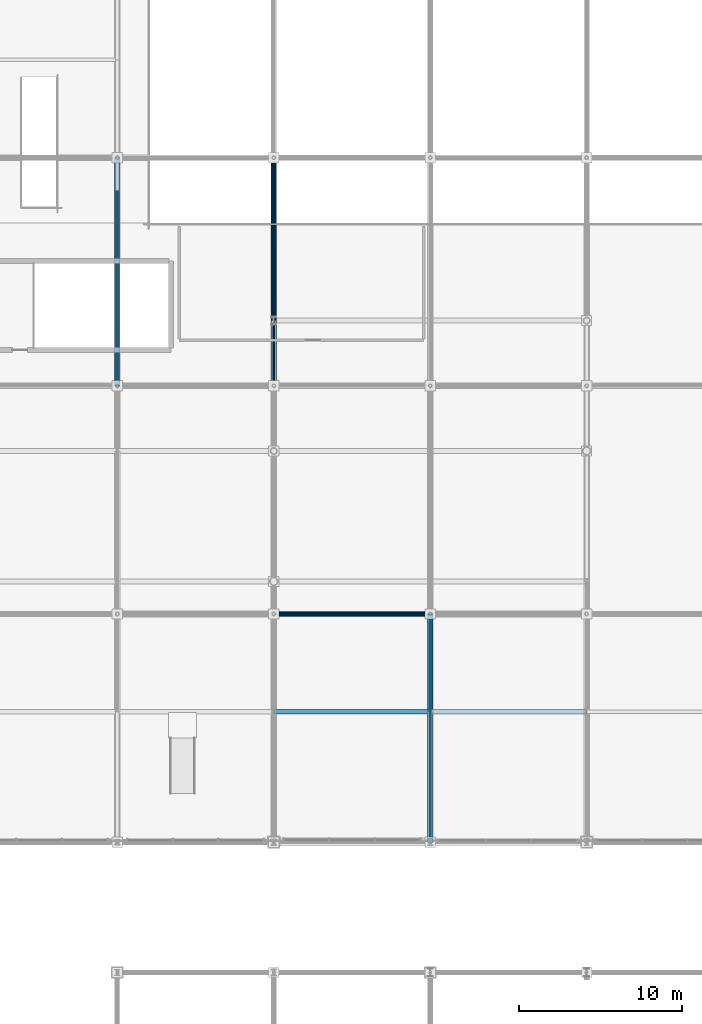
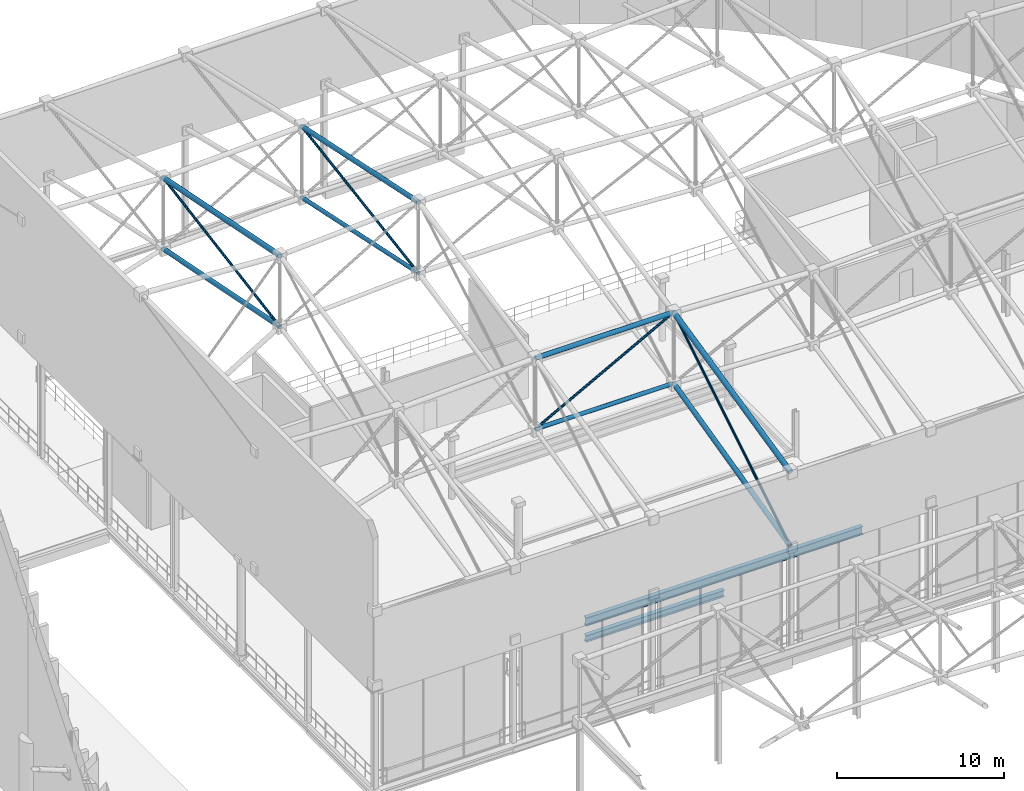
# One storey, part 106 of 193: 12 members, 2 beams.
"""IFC4 building model written with IfcOpenShell, lengths in metres."""

from ifc_helpers import new_model, si_unit, direction, frame, origin, origin_2d, place, context, subcontext, project, spatial, hollow_circle, i_section, extrude, material, material_profile, profile_set, type_object, element, save


model = new_model("IFC4")

# Units and contexts
model_context = context("Model", 3, precision=1e-05, world=origin(), true_north=direction((0.0, 1.0)))
body_context = subcontext(model_context, "Body", "Model", "MODEL_VIEW")
ifc_project = project(units=[si_unit("LENGTHUNIT", "METRE"), si_unit("AREAUNIT", "SQUARE_METRE"), si_unit("VOLUMEUNIT", "CUBIC_METRE"), si_unit("PLANEANGLEUNIT", "RADIAN"), si_unit("MASSUNIT", "GRAM", prefix="KILO")], contexts=[model_context])

# Site, building, storey
site_placement = place(None, origin())
site = spatial("IfcSite", under=ifc_project, at=site_placement, CompositionType="ELEMENT")
building_placement = place(site_placement, origin())
building = spatial("IfcBuilding", under=site, at=building_placement, Name="Danafjord Basin Convention Centre", CompositionType="ELEMENT")
storey_placement = place(building_placement, frame((0.0, 0.0, 11.39990234375)))
storey = spatial("IfcBuildingStorey", under=building, at=storey_placement, Name="L02", CompositionType="ELEMENT", Elevation=11.39990234375)

# Beams
ifc_material = material(Name="Steel S355", Category="steel")
ifc_material_profile_1 = material_profile(ifc_material, i_section(OverallWidth=0.300048828125, OverallDepth=0.489990234375, WebThickness=0.011962890625, FlangeThickness=0.02294921875, FilletRadius=0.027099609375, at=origin_2d()), Name="HEA 500")
ifc_profile_set_1 = profile_set([ifc_material_profile_1], Name="Steel S355")
beam_type_1 = type_object("IfcBeamType", Name="BEAM-BM-HEA500", PredefinedType="BEAM", material=ifc_profile_set_1)
beam_1_placement = place(storey_placement, frame((153.60009765625, 96.0, -0.60498046875), z_axis=(1.0, 0.0, 0.0), x_axis=(0.0, 1.0, 0.0)))
element("IfcBeam", 1, at=beam_1_placement, inside=storey, type_object=beam_type_1, Name="L02 girder BM-HEA500", PredefinedType="BEAM", context=body_context, shape_type="SweptSolid", body=[
    extrude(i_section(OverallWidth=0.300048828125, OverallDepth=0.489990234375, WebThickness=0.011962890625, FlangeThickness=0.02294921875, FilletRadius=0.027099609375, at=origin_2d()), origin(), (0.0, 0.0, 1.0), 9.599853515625),
])
ifc_material_profile_2 = material_profile(ifc_material, i_section(OverallWidth=0.300048828125, OverallDepth=0.60009765625, WebThickness=0.015380859375, FlangeThickness=0.030029296875, FilletRadius=0.027099609375, at=origin_2d()), Name="HEB 600")
ifc_profile_set_2 = profile_set([ifc_material_profile_2], Name="Steel S355")
beam_type_2 = type_object("IfcBeamType", Name="BEAM-BM-HEB600", PredefinedType="BEAM", material=ifc_profile_set_2)
beam_2_placement = place(storey_placement, frame((153.60009765625, 96.0, 0.64013671875), z_axis=(1.0, 0.0, 0.0), x_axis=(0.0, 1.0, 0.0)))
element("IfcBeam", 2, at=beam_2_placement, inside=storey, type_object=beam_type_2, Name="Balcony tier transverse girder", PredefinedType="BEAM", context=body_context, shape_type="SweptSolid", body=[
    extrude(i_section(OverallWidth=0.300048828125, OverallDepth=0.60009765625, WebThickness=0.015380859375, FlangeThickness=0.030029296875, FilletRadius=0.027099609375, at=origin_2d()), origin(), (0.0, 0.0, 1.0), 19.199951171875),
])

# Members
ifc_material_profile_3 = material_profile(ifc_material, hollow_circle(Radius=0.136474609375, WallThickness=0.012451171875, at=origin_2d()), Name="CHS 273.0x12.5")
ifc_profile_set_3 = profile_set([ifc_material_profile_3], Name="Steel S355")
member_type_1 = type_object("IfcMemberType", Name="MEM-CH-CHS273", PredefinedType="CHORD", material=ifc_profile_set_3)
member_1_placement = place(storey_placement, frame((153.60009765625, 102.0, 11.059814453125), z_axis=(1.0, 0.0, 0.0), x_axis=(0.0, 1.0, 0.0)))
element("IfcMember", 3, at=member_1_placement, inside=storey, type_object=member_type_1, Name="V2 roof truss longitudinal bottom chord", PredefinedType="CHORD", context=body_context, shape_type="SweptSolid", body=[
    extrude(hollow_circle(Radius=0.136474609375, WallThickness=0.012451171875, at=origin_2d()), origin(), (0.0, 0.0, 1.0), 9.599853515625),
])
member_2_placement = place(storey_placement, frame((153.60009765625, 116.0, 14.0126953125), z_axis=(0.0, 0.978472048473, -0.206379384526), x_axis=(-1.0, 0.0, 0.0)))
element("IfcMember", 4, at=member_2_placement, inside=storey, type_object=member_type_1, Name="V2 roof truss transverse bottom chord", PredefinedType="CHORD", context=body_context, shape_type="SweptSolid", body=[
    extrude(hollow_circle(Radius=0.136474609375, WallThickness=0.012451171875, at=origin_2d()), origin(), (0.0, 0.0, 1.0), 14.30810546875),
])
ifc_material_profile_4 = material_profile(ifc_material, hollow_circle(Radius=0.161865234375, WallThickness=0.01611328125, at=origin_2d()), Name="CHS 323.9x16.0")
ifc_profile_set_4 = profile_set([ifc_material_profile_4], Name="Steel S355")
member_type_2 = type_object("IfcMemberType", Name="MEM-CH-CHS324", PredefinedType="CHORD", material=ifc_profile_set_4)
member_3_placement = place(storey_placement, frame((144.0, 116.0, 13.4501953125), z_axis=(0.0, 0.980793234721, -0.195050328696), x_axis=(-1.0, 0.0, 0.0)))
element("IfcMember", 5, at=member_3_placement, inside=storey, type_object=member_type_2, Name="V2 roof truss transverse bottom chord", PredefinedType="CHORD", context=body_context, shape_type="SweptSolid", body=[
    extrude(hollow_circle(Radius=0.161865234375, WallThickness=0.01611328125, at=origin_2d()), origin(), (0.0, 0.0, 1.0), 14.274169921875),
])
member_4_placement = place(storey_placement, frame((153.60009765625, 102.0, 16.260009765625), z_axis=(0.999999999677, 0.0, -2.5431703e-05), x_axis=(0.0, 1.0, 0.0)))
element("IfcMember", 6, at=member_4_placement, inside=storey, type_object=member_type_2, Name="V2 roof truss longitudinal top chord", PredefinedType="CHORD", context=body_context, shape_type="SweptSolid", body=[
    extrude(hollow_circle(Radius=0.161865234375, WallThickness=0.01611328125, at=origin_2d()), origin(), (0.0, 0.0, 1.0), 9.599853515625),
])
member_5_placement = place(storey_placement, frame((153.60009765625, 116.0, 19.212646484375), z_axis=(0.0, 0.97847549403, -0.206363048005), x_axis=(-1.0, 0.0, 0.0)))
element("IfcMember", 7, at=member_5_placement, inside=storey, type_object=member_type_2, Name="V2 roof truss transverse top chord", PredefinedType="CHORD", context=body_context, shape_type="SweptSolid", body=[
    extrude(hollow_circle(Radius=0.161865234375, WallThickness=0.01611328125, at=origin_2d()), origin(), (0.0, 0.0, 1.0), 14.307861328125),
])
member_6_placement = place(storey_placement, frame((163.199951171875, 88.0, 7.650146484375), z_axis=(0.0, 0.971599626019, 0.236630865949), x_axis=(-1.0, 0.0, 0.0)))
element("IfcMember", 8, at=member_6_placement, inside=storey, type_object=member_type_2, Name="V2 roof truss transverse bottom chord", PredefinedType="CHORD", context=body_context, shape_type="SweptSolid", body=[
    extrude(hollow_circle(Radius=0.161865234375, WallThickness=0.01611328125, at=origin_2d()), origin(), (0.0, 0.0, 1.0), 14.4091796875),
])
ifc_material_profile_5 = material_profile(ifc_material, hollow_circle(Radius=0.177734375, WallThickness=0.01611328125, at=origin_2d()), Name="CHS 355.6x16.0")
ifc_profile_set_5 = profile_set([ifc_material_profile_5], Name="Steel S355")
member_type_3 = type_object("IfcMemberType", Name="MEM-CH-CHS355", PredefinedType="CHORD", material=ifc_profile_set_5)
member_7_placement = place(storey_placement, frame((144.0, 116.0, 18.650146484375), z_axis=(0.0, 0.980796506597, -0.19503387564), x_axis=(-1.0, 0.0, 0.0)))
element("IfcMember", 9, at=member_7_placement, inside=storey, type_object=member_type_3, Name="V2 roof truss transverse top chord", PredefinedType="CHORD", context=body_context, shape_type="SweptSolid", body=[
    extrude(hollow_circle(Radius=0.177734375, WallThickness=0.01611328125, at=origin_2d()), origin(), (0.0, 0.0, 1.0), 14.274169921875),
])
member_8_placement = place(storey_placement, frame((163.199951171875, 88.0, 13.0751953125), z_axis=(0.0, 0.975091413877, 0.221803369186), x_axis=(-1.0, 0.0, 0.0)))
element("IfcMember", 10, at=member_8_placement, inside=storey, type_object=member_type_3, Name="V2 roof truss transverse top chord", PredefinedType="CHORD", context=body_context, shape_type="SweptSolid", body=[
    extrude(hollow_circle(Radius=0.177734375, WallThickness=0.01611328125, at=origin_2d()), origin(), (0.0, 0.0, 1.0), 14.357666015625),
])
ifc_material_profile_6 = material_profile(ifc_material, hollow_circle(Radius=0.084228515625, WallThickness=0.008056640625, at=origin_2d()), Name="CHS 168.3x8.0")
ifc_profile_set_6 = profile_set([ifc_material_profile_6], Name="Steel S355")
member_type_4 = type_object("IfcMemberType", Name="MEM-WB-CHS168", PredefinedType="MEMBER", material=ifc_profile_set_6)
member_9_placement = place(storey_placement, frame((144.0, 116.0, 13.4501953125), z_axis=(0.0, 0.985433910412, 0.170058837497), x_axis=(-1.0, 0.0, 0.0)))
element("IfcMember", 11, at=member_9_placement, inside=storey, type_object=member_type_4, Name="V2 space-frame transverse web", PredefinedType="MEMBER", context=body_context, shape_type="SweptSolid", body=[
    extrude(hollow_circle(Radius=0.084228515625, WallThickness=0.008056640625, at=origin_2d()), origin(), (0.0, 0.0, 1.0), 14.20703125),
])
member_10_placement = place(storey_placement, frame((153.60009765625, 102.0, 11.059814453125), z_axis=(0.879290795913, 0.0, 0.476285309686), x_axis=(0.0, 1.0, 0.0)))
element("IfcMember", 12, at=member_10_placement, inside=storey, type_object=member_type_4, Name="V2 space-frame longitudinal web", PredefinedType="MEMBER", context=body_context, shape_type="SweptSolid", body=[
    extrude(hollow_circle(Radius=0.084228515625, WallThickness=0.008056640625, at=origin_2d()), origin(), (0.0, 0.0, 1.0), 10.917724609375),
])
member_11_placement = place(storey_placement, frame((153.60009765625, 116.0, 14.0126953125), z_axis=(0.0, 0.987360026895, 0.158493461348), x_axis=(-1.0, 0.0, 0.0)))
element("IfcMember", 13, at=member_11_placement, inside=storey, type_object=member_type_4, Name="V2 space-frame transverse web", PredefinedType="MEMBER", context=body_context, shape_type="SweptSolid", body=[
    extrude(hollow_circle(Radius=0.084228515625, WallThickness=0.008056640625, at=origin_2d()), origin(), (0.0, 0.0, 1.0), 14.17919921875),
])
member_12_placement = place(storey_placement, frame((163.199951171875, 88.0, 7.650146484375), z_axis=(0.0, 0.85181485631, 0.523842963654), x_axis=(-1.0, 0.0, 0.0)))
element("IfcMember", 14, at=member_12_placement, inside=storey, type_object=member_type_4, Name="V2 space-frame transverse web", PredefinedType="MEMBER", context=body_context, shape_type="SweptSolid", body=[
    extrude(hollow_circle(Radius=0.084228515625, WallThickness=0.008056640625, at=origin_2d()), origin(), (0.0, 0.0, 1.0), 16.435546875),
])

save(model, "model.ifc")
